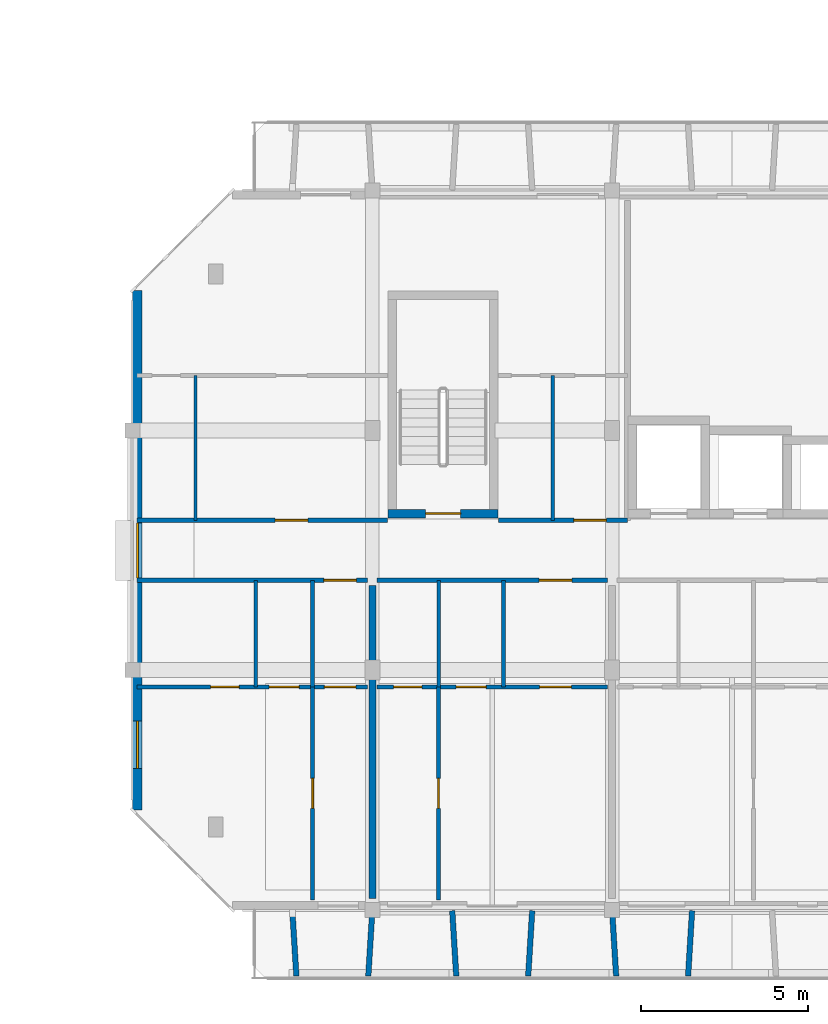
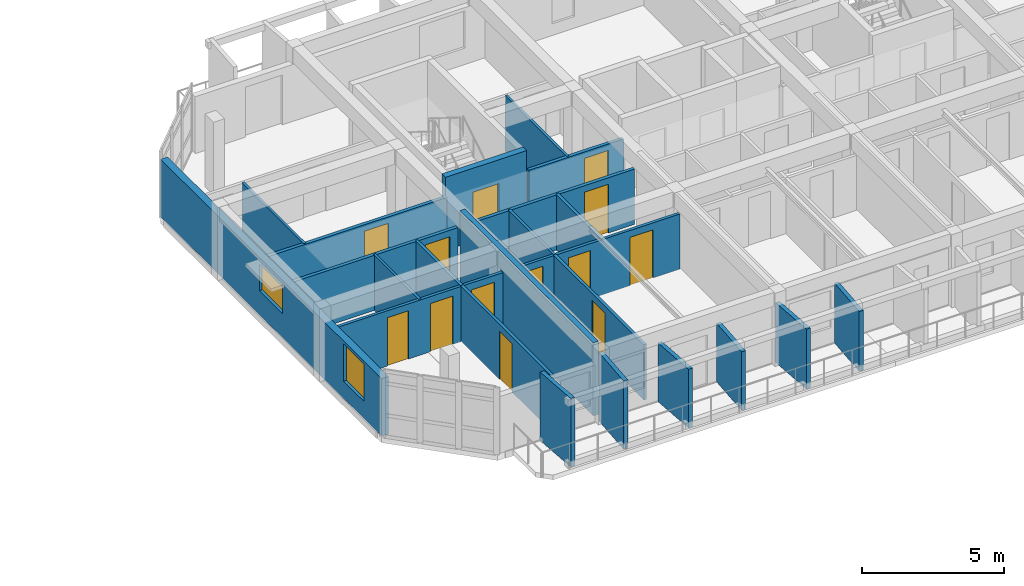
# One storey, part 15 of 30: 23 walls, 13 doors, 2 windows, 15 openings.
"""IFC4 building model written with IfcOpenShell, lengths in metres."""

import ifcopenshell
import ifcopenshell.guid

model = None  # the IFC model being written
_history = None  # IfcOwnerHistory: only IFC2X3 demands one
_inside = {}  # id of a spatial element -> (the spatial element, [elements in it])
_under = {}  # id of a project, library or spatial element -> (it, [spatial elements below it])
_declared = {}  # id of a project -> (the project, [libraries it declares])
_typed = {}  # id of a type object -> (the type object, [elements of that type])
_made_of = {}  # id of a material, layer set ... -> (it, [elements and type objects made of it])


def new_model(schema):
    """Start an empty IFC model of exactly this schema.

    Asked for "IFC4X3", IfcOpenShell would pick the latest addendum, in which some entities
    have other attributes; the version numbers below select the first issue.
    IFC2X3 requires an IfcOwnerHistory on every rooted entity: one is made here for all.
    """
    global model, _history
    if schema == "IFC4X3":
        model = ifcopenshell.file(schema_version=(4, 3, 0, 0))
    else:
        model = ifcopenshell.file(schema=schema)
    _inside.clear()
    _under.clear()
    _declared.clear()
    _typed.clear()
    _made_of.clear()
    _history = None
    if model.schema == "IFC2X3":
        org = make("IfcOrganization", Name="unknown")
        user = make(
            "IfcPersonAndOrganization",
            ThePerson=make("IfcPerson", FamilyName="unknown"),
            TheOrganization=org,
        )
        app = make(
            "IfcApplication",
            ApplicationDeveloper=org,
            Version="unknown",
            ApplicationFullName="unknown",
            ApplicationIdentifier="unknown",
        )
        _history = make(
            "IfcOwnerHistory",
            OwningUser=user,
            OwningApplication=app,
            ChangeAction="ADDED",
            CreationDate=0,
        )
    return model


def make(cls, **values):
    """One entity of the class cls with the attributes given. An attribute that is None is left unset."""
    return model.create_entity(
        cls, **{name: value for name, value in values.items() if value is not None}
    )


def rooted(cls, **values):
    """An entity with a GlobalId (a new one), such as an element, a storey or a relation."""
    return make(cls, GlobalId=ifcopenshell.guid.new(), OwnerHistory=_history, **values)


def si_unit(unit_type, name, prefix=None):
    """IfcSIUnit, for example si_unit("LENGTHUNIT", "METRE", prefix="MILLI")."""
    return make("IfcSIUnit", UnitType=unit_type, Prefix=prefix, Name=name)


def assignment(units):
    """IfcUnitAssignment: the units of a project."""
    return None if units is None else make("IfcUnitAssignment", Units=units)


def point(xyz):
    """IfcCartesianPoint."""
    return None if xyz is None else make("IfcCartesianPoint", Coordinates=xyz)


def direction(xyz):
    """IfcDirection."""
    return None if xyz is None else make("IfcDirection", DirectionRatios=xyz)


def frame(location, z_axis=None, x_axis=None):
    """IfcAxis2Placement3D, a coordinate frame: its origin and axes. An axis left out is left unset."""
    return make(
        "IfcAxis2Placement3D",
        Location=point(location),
        Axis=direction(z_axis),
        RefDirection=direction(x_axis),
    )


def frame_2d(location, x_axis=None):
    """IfcAxis2Placement2D, a coordinate frame in the plane: its origin and x axis."""
    return make(
        "IfcAxis2Placement2D", Location=point(location), RefDirection=direction(x_axis)
    )


def origin():
    """The frame at (0, 0, 0) with its axes left unset."""
    return frame((0.0, 0.0, 0.0))


def place(relative_to, where):
    """IfcLocalPlacement: puts the frame where relative to a parent placement (None: the world)."""
    return make(
        "IfcLocalPlacement", PlacementRelTo=relative_to, RelativePlacement=where
    )


def context(
    kind, dimensions, precision=None, world=None, true_north=None, identifier=None
):
    """IfcGeometricRepresentationContext, for example the 3D "Model" context."""
    return make(
        "IfcGeometricRepresentationContext",
        ContextIdentifier=identifier,
        ContextType=kind,
        CoordinateSpaceDimension=dimensions,
        Precision=precision,
        WorldCoordinateSystem=world,
        TrueNorth=true_north,
    )


def subcontext(parent, identifier, kind, view, scale=None):
    """IfcGeometricRepresentationSubContext, for example "Body" below "Model"."""
    return make(
        "IfcGeometricRepresentationSubContext",
        ContextIdentifier=identifier,
        ContextType=kind,
        ParentContext=parent,
        TargetScale=scale,
        TargetView=view,
    )


def project(units=None, contexts=None):
    """IfcProject with its units and contexts."""
    return rooted(
        "IfcProject",
        Name="project",
        RepresentationContexts=contexts,
        UnitsInContext=assignment(units),
    )


def spatial(cls, under=None, at=None, **own):
    """A site, building, storey or space (cls), placed at a placement, below another one or the project."""
    s = rooted(cls, ObjectPlacement=at, **own)
    if under is not None:
        _under.setdefault(under.id(), (under, []))[1].append(s)
    return s


def profile(cls, at=None, kind="AREA", **sizes):
    """A parametric profile (cls). Its sizes go by their IFC names, for example OverallWidth=200.0."""
    return make(cls, ProfileType=kind, Position=at, **sizes)


def rectangle(**sizes):
    """IfcRectangleProfileDef."""
    return profile("IfcRectangleProfileDef", **sizes)


def extrude(swept, where, along, depth):
    """IfcExtrudedAreaSolid: the profile swept, set in the frame where, extruded along a direction by depth."""
    return make(
        "IfcExtrudedAreaSolid",
        SweptArea=swept,
        Position=where,
        ExtrudedDirection=direction(along),
        Depth=depth,
    )


def shape(context_of_items, identifier, shape_type, items):
    """IfcShapeRepresentation: the items that make up one representation, for example the "Body"."""
    return make(
        "IfcShapeRepresentation",
        ContextOfItems=context_of_items,
        RepresentationIdentifier=identifier,
        RepresentationType=shape_type,
        Items=items,
    )


def material(Name=None, Category=None):
    """IfcMaterial."""
    return make("IfcMaterial", Name=Name, Category=Category)


def layer(
    of_material, thickness, ventilated=None, Name=None, Category=None, Priority=None
):
    """IfcMaterialLayer: one layer of a wall or slab, of a material (None: an air gap)."""
    return make(
        "IfcMaterialLayer",
        Material=of_material,
        LayerThickness=thickness,
        IsVentilated=ventilated,
        Name=Name,
        Category=Category,
        Priority=Priority,
    )


def layer_set(layers, Name=None):
    """IfcMaterialLayerSet."""
    return make("IfcMaterialLayerSet", MaterialLayers=layers, LayerSetName=Name)


def made_of(thing, what):
    """Note that an element or type object is made of a material, layer set ...; save() writes the relation."""
    if what is not None:
        _made_of.setdefault(what.id(), (what, []))[1].append(thing)
    return thing


def type_object(cls, material=None, **own):
    """A type object (cls), such as IfcWallType, which elements share."""
    return made_of(rooted(cls, **own), material)


def element(
    cls,
    number,
    at=None,
    inside=None,
    cuts=None,
    type_object=None,
    material=None,
    context=None,
    identifier="Body",
    shape_type=None,
    held_by="IfcProductDefinitionShape",
    body=None,
    shapes=None,
    **own,
):
    """One element of the class cls, such as IfcWall. Its Tag is "e" and its number.

    at: its placement. inside: the storey or other place that contains it. cuts: it is an
    opening in that element (IfcRelVoidsElement). A single representation is given by context,
    identifier, shape_type and body (its items); several are given by shapes. held_by: the class
    of the entity that holds the representations. save() writes the other relations.
    """
    e = rooted(cls, Tag="e%d" % number, ObjectPlacement=at, **own)
    if body is not None:
        shapes = [shape(context, identifier, shape_type, body)]
    if shapes is not None:
        e.Representation = make(held_by, Representations=shapes)
    if inside is not None:
        _inside.setdefault(inside.id(), (inside, []))[1].append(e)
    if cuts is not None:
        rooted(
            "IfcRelVoidsElement", RelatingBuildingElement=cuts, RelatedOpeningElement=e
        )
    if type_object is not None:
        _typed.setdefault(type_object.id(), (type_object, []))[1].append(e)
    return made_of(e, material)


def fill(opening, filler):
    """IfcRelFillsElement: the door or window that sits in an opening."""
    return rooted(
        "IfcRelFillsElement",
        RelatingOpeningElement=opening,
        RelatedBuildingElement=filler,
    )


def aggregate(whole, parts):
    """IfcRelAggregates: a whole, such as a stair, and the parts it consists of."""
    return rooted("IfcRelAggregates", RelatingObject=whole, RelatedObjects=parts)


def save(model, path):
    """Write the relations noted so far, then the file.

    IfcRelAggregates (storeys below a building ...), IfcRelContainedInSpatialStructure (elements
    in a storey), IfcRelDefinesByType, IfcRelAssociatesMaterial and IfcRelDeclares: one each for
    every whole, place, type object, material and project.
    """
    for whole, parts in _under.values():
        aggregate(whole, parts)
    for where, things in _inside.values():
        rooted(
            "IfcRelContainedInSpatialStructure",
            RelatedElements=things,
            RelatingStructure=where,
        )
    for kind, things in _typed.values():
        rooted("IfcRelDefinesByType", RelatedObjects=things, RelatingType=kind)
    for what, things in _made_of.values():
        rooted("IfcRelAssociatesMaterial", RelatedObjects=things, RelatingMaterial=what)
    for by, libraries in _declared.values():
        rooted("IfcRelDeclares", RelatingContext=by, RelatedDefinitions=libraries)
    model.write(path)


model = new_model("IFC4")

# Units and contexts
model_context = context("Model", 3, precision=1e-05, world=origin(), true_north=direction((0.0, 1.0)))
body_context = subcontext(model_context, "Body", "Model", "MODEL_VIEW")
ifc_project = project(units=[si_unit("LENGTHUNIT", "METRE"), si_unit("AREAUNIT", "SQUARE_METRE"), si_unit("VOLUMEUNIT", "CUBIC_METRE"), si_unit("PLANEANGLEUNIT", "RADIAN"), si_unit("MASSUNIT", "GRAM", prefix="KILO")], contexts=[model_context])

# Site, building, storey
site_placement = place(None, origin())
site = spatial("IfcSite", under=ifc_project, at=site_placement, CompositionType="ELEMENT")
building_placement = place(site_placement, origin())
building = spatial("IfcBuilding", under=site, at=building_placement, Name="Ochrevale Crest", CompositionType="ELEMENT")
storey_placement = place(building_placement, frame((0.0, 0.0, 33.89990234375)))
storey = spatial("IfcBuildingStorey", under=building, at=storey_placement, Name="L10", CompositionType="ELEMENT", Elevation=33.89990234375)

# Wall, opening, door
ifc_material_1 = material(Name="Gypsum plasterboard", Category="gypsum")
ifc_layer_1 = layer(ifc_material_1, 0.139892578125)
ifc_layer_set_1 = layer_set([ifc_layer_1], Name="Gypsum plasterboard")
wall_type_1 = type_object("IfcWallType", Name="WL-COR-140", PredefinedType="PARTITIONING", material=ifc_layer_set_1)
wall_1_placement = place(storey_placement, frame((129.739990234375, 24.300048828125, 0.0), z_axis=(0.0, 0.0, 1.0), x_axis=(1.0, 0.0, 0.0)))
wall_1 = element("IfcWall", 1, at=wall_1_placement, inside=storey, type_object=wall_type_1, Name="Apartment C-L10-U1 corridor wall", PredefinedType="PARTITIONING", context=body_context, shape_type="SweptSolid", body=[
    extrude(rectangle(XDim=6.919921875, YDim=0.139892578125, at=frame_2d((3.4599609375, 0.0))), origin(), (0.0, 0.0, 1.0), 2.380126953125),
])
opening_1_placement = place(wall_1_placement, frame((5.60498046875, 0.0, 0.0)))
opening_1 = element("IfcOpeningElement", 2, at=opening_1_placement, cuts=wall_1, Name="Opening FD01", PredefinedType="OPENING", context=body_context, shape_type="SweptSolid", body=[
    extrude(rectangle(XDim=0.97998046875, YDim=2.10009765625, at=frame_2d((0.489990234375, 1.050048828125))), frame((0.0, 0.080078125, 0.0), z_axis=(0.0, -1.0, 0.0), x_axis=(1.0, 0.0, 0.0)), (0.0, 0.0, 1.0), 0.159912109375),
])
ifc_material_2 = material(Name="Solid-core FSC hardwood", Category="wood")
door_type_1 = type_object("IfcDoorType", Name="DR-APT-950", OperationType="NOTDEFINED", PredefinedType="DOOR", material=ifc_material_2)
door_1_placement = place(opening_1_placement, origin())
door_1 = element("IfcDoor", 3, at=door_1_placement, inside=storey, type_object=door_type_1, Name="Apartment C-L10-U1 entrance door", OperationType="SINGLE_SWING_LEFT", OverallHeight=2.10009765625, OverallWidth=0.97998046875, PredefinedType="DOOR", context=body_context, shape_type="SweptSolid", body=[
    extrude(rectangle(XDim=0.97998046875, YDim=2.10009765625, at=frame_2d((0.489990234375, 1.050048828125))), frame((0.0, 0.02490234375, 0.0), z_axis=(0.0, -1.0, 0.0), x_axis=(1.0, 0.0, 0.0)), (0.0, 0.0, 1.0), 0.050048828125),
])
fill(opening_1, door_1)

wall_2_placement = place(storey_placement, frame((136.93994140625, 24.300048828125, 0.0), z_axis=(0.0, 0.0, 1.0), x_axis=(1.0, 0.0, 0.0)))
wall_2 = element("IfcWall", 4, at=wall_2_placement, inside=storey, type_object=wall_type_1, Name="Apartment C-L10-U2 corridor wall", PredefinedType="PARTITIONING", context=body_context, shape_type="SweptSolid", body=[
    extrude(rectangle(XDim=6.920166015625, YDim=0.139892578125, at=frame_2d((3.4599609375, 0.0))), origin(), (0.0, 0.0, 1.0), 2.380126953125),
])
opening_2_placement = place(wall_2_placement, frame((5.85009765625, 0.0, 0.0), z_axis=(0.0, 0.0, 1.0), x_axis=(-1.0, 0.0, 0.0)))
opening_2 = element("IfcOpeningElement", 5, at=opening_2_placement, cuts=wall_2, Name="Opening FD01", PredefinedType="OPENING", context=body_context, shape_type="SweptSolid", body=[
    extrude(rectangle(XDim=0.97998046875, YDim=2.10009765625, at=frame_2d((0.489990234375, 1.050048828125))), frame((0.0, 0.080078125, 0.0), z_axis=(0.0, -1.0, 0.0), x_axis=(1.0, 0.0, 0.0)), (0.0, 0.0, 1.0), 0.159912109375),
])
door_2_placement = place(opening_2_placement, origin())
door_2 = element("IfcDoor", 6, at=door_2_placement, inside=storey, type_object=door_type_1, Name="Apartment C-L10-U2 entrance door", OperationType="SINGLE_SWING_RIGHT", OverallHeight=2.10009765625, OverallWidth=0.97998046875, PredefinedType="DOOR", context=body_context, shape_type="SweptSolid", body=[
    extrude(rectangle(XDim=0.97998046875, YDim=2.10009765625, at=frame_2d((0.489990234375, 1.050048828125))), frame((0.0, 0.02490234375, 0.0), z_axis=(0.0, -1.0, 0.0), x_axis=(1.0, 0.0, 0.0)), (0.0, 0.0, 1.0), 0.050048828125),
])
fill(opening_2, door_2)

wall_3_placement = place(storey_placement, frame((129.739990234375, 26.10009765625, 0.0), z_axis=(0.0, 0.0, 1.0), x_axis=(1.0, 0.0, 0.0)))
wall_3 = element("IfcWall", 7, at=wall_3_placement, inside=storey, type_object=wall_type_1, Name="Suite C-L10-CW corridor wall", PredefinedType="PARTITIONING", context=body_context, shape_type="SweptSolid", body=[
    extrude(rectangle(XDim=7.52001953125, YDim=0.139892578125, at=frame_2d((3.760009765625, 0.0))), origin(), (0.0, 0.0, 1.0), 2.380126953125),
])
opening_3_placement = place(wall_3_placement, frame((5.125, 0.0, 0.0), z_axis=(0.0, 0.0, 1.0), x_axis=(-1.0, 0.0, 0.0)))
opening_3 = element("IfcOpeningElement", 8, at=opening_3_placement, cuts=wall_3, Name="Opening FD01", PredefinedType="OPENING", context=body_context, shape_type="SweptSolid", body=[
    extrude(rectangle(XDim=0.97998046875, YDim=2.10009765625, at=frame_2d((0.489990234375, 1.050048828125))), frame((0.0, 0.080078125, 0.0), z_axis=(0.0, -1.0, 0.0), x_axis=(1.0, 0.0, 0.0)), (0.0, 0.0, 1.0), 0.159912109375),
])
door_3_placement = place(opening_3_placement, origin())
door_3 = element("IfcDoor", 9, at=door_3_placement, inside=storey, type_object=door_type_1, Name="Suite C-L10-CW entrance door", OperationType="SINGLE_SWING_RIGHT", OverallHeight=2.10009765625, OverallWidth=0.97998046875, PredefinedType="DOOR", context=body_context, shape_type="SweptSolid", body=[
    extrude(rectangle(XDim=0.97998046875, YDim=2.10009765625, at=frame_2d((0.489990234375, 1.050048828125))), frame((0.0, 0.02490234375, 0.0), z_axis=(0.0, -1.0, 0.0), x_axis=(1.0, 0.0, 0.0)), (0.0, 0.0, 1.0), 0.050048828125),
])
fill(opening_3, door_3)

wall_4_placement = place(storey_placement, frame((140.590087890625, 26.10009765625, 0.0), z_axis=(0.0, 0.0, 1.0), x_axis=(1.0, 0.0, 0.0)))
wall_4 = element("IfcWall", 10, at=wall_4_placement, inside=storey, type_object=wall_type_1, Name="Suite C-L10-MW corridor wall", PredefinedType="PARTITIONING", context=body_context, shape_type="SweptSolid", body=[
    extrude(rectangle(XDim=3.869873046875, YDim=0.139892578125, at=frame_2d((1.93505859375, 0.0))), origin(), (0.0, 0.0, 1.0), 2.380126953125),
])
opening_4_placement = place(wall_4_placement, frame((2.2578125, 0.0, 0.0)))
opening_4 = element("IfcOpeningElement", 11, at=opening_4_placement, cuts=wall_4, Name="Opening FD01", PredefinedType="OPENING", context=body_context, shape_type="SweptSolid", body=[
    extrude(rectangle(XDim=0.97998046875, YDim=2.10009765625, at=frame_2d((0.489990234375, 1.050048828125))), frame((0.0, 0.080078125, 0.0), z_axis=(0.0, -1.0, 0.0), x_axis=(1.0, 0.0, 0.0)), (0.0, 0.0, 1.0), 0.159912109375),
])
door_4_placement = place(opening_4_placement, origin())
door_4 = element("IfcDoor", 12, at=door_4_placement, inside=storey, type_object=door_type_1, Name="Suite C-L10-MW entrance door", OperationType="SINGLE_SWING_LEFT", OverallHeight=2.10009765625, OverallWidth=0.97998046875, PredefinedType="DOOR", context=body_context, shape_type="SweptSolid", body=[
    extrude(rectangle(XDim=0.97998046875, YDim=2.10009765625, at=frame_2d((0.489990234375, 1.050048828125))), frame((0.0, 0.02490234375, 0.0), z_axis=(0.0, -1.0, 0.0), x_axis=(1.0, 0.0, 0.0)), (0.0, 0.0, 1.0), 0.050048828125),
])
fill(opening_4, door_4)

ifc_material_3 = material(Name="Precast concrete C50/60", Category="concrete")
ifc_layer_2 = layer(ifc_material_3, 0.2548828125)
ifc_layer_set_2 = layer_set([ifc_layer_2], Name="Precast concrete C50/60")
wall_type_2 = type_object("IfcWallType", Name="WL-CORE-255", PredefinedType="SHEAR", material=ifc_layer_set_2)
wall_5_placement = place(storey_placement, frame((137.2724609375, 26.300048828125, 0.0), z_axis=(0.0, 0.0, 1.0), x_axis=(1.0, 0.0, 0.0)))
wall_5 = element("IfcWall", 13, at=wall_5_placement, inside=storey, type_object=wall_type_2, Name="Block C L10 Stair 1 precast core shear wall S", PredefinedType="SHEAR", context=body_context, shape_type="SweptSolid", body=[
    extrude(rectangle(XDim=3.304931640625, YDim=0.2548828125, at=frame_2d((1.65234375, 0.0))), origin(), (0.0, 0.0, 1.0), 3.150146484375),
])
opening_5_placement = place(wall_5_placement, frame((2.177490234375, 0.0, 0.0), z_axis=(0.0, 0.0, 1.0), x_axis=(-1.0, 0.0, 0.0)))
opening_5 = element("IfcOpeningElement", 14, at=opening_5_placement, cuts=wall_5, Name="Opening FD03", PredefinedType="OPENING", context=body_context, shape_type="SweptSolid", body=[
    extrude(rectangle(XDim=1.050048828125, YDim=2.1201171875, at=frame_2d((0.52490234375, 1.06005859375))), frame((0.0, 0.137451171875, 0.0), z_axis=(0.0, -1.0, 0.0), x_axis=(1.0, 0.0, 0.0)), (0.0, 0.0, 1.0), 0.27490234375),
])
door_type_2 = type_object("IfcDoorType", Name="DR-ST-1050", OperationType="NOTDEFINED", PredefinedType="DOOR", material=ifc_material_2)
door_5_placement = place(opening_5_placement, origin())
door_5 = element("IfcDoor", 15, at=door_5_placement, inside=storey, type_object=door_type_2, Name="Block C L10 fire stair 1 door", OperationType="SINGLE_SWING_RIGHT", OverallHeight=2.1201171875, OverallWidth=1.050048828125, PredefinedType="DOOR", context=body_context, shape_type="SweptSolid", body=[
    extrude(rectangle(XDim=1.050048828125, YDim=2.1201171875, at=frame_2d((0.52490234375, 1.06005859375))), frame((0.0, 0.02490234375, 0.0), z_axis=(0.0, -1.0, 0.0), x_axis=(1.0, 0.0, 0.0)), (0.0, 0.0, 1.0), 0.050048828125),
])
fill(opening_5, door_5)

# Wall, openings, windows
ifc_material_4 = material(Name="Clay face brickwork", Category="masonry")
ifc_layer_3 = layer(ifc_material_4, 0.2900390625)
ifc_layer_set_3 = layer_set([ifc_layer_3], Name="Clay face brickwork")
wall_type_3 = type_object("IfcWallType", Name="WL-EXT-BRICK-290", PredefinedType="SOLIDWALL", material=ifc_layer_set_3)
wall_6_placement = place(storey_placement, frame((129.7451171875, 33.0, 0.0), z_axis=(0.0, 0.0, 1.0), x_axis=(0.0, -1.0, 0.0)))
wall_6 = element("IfcWall", 16, at=wall_6_placement, inside=storey, type_object=wall_type_3, Name="Block C L10 external facade wall E7", PredefinedType="SOLIDWALL", context=body_context, shape_type="SweptSolid", body=[
    extrude(rectangle(XDim=15.60009765625, YDim=0.2900390625, at=frame_2d((7.800048828125, 0.0))), origin(), (0.0, 0.0, 1.0), 2.47998046875),
])
opening_6_placement = place(wall_6_placement, frame((6.97509765625, 0.0, 1.050048828125)))
opening_6 = element("IfcOpeningElement", 17, at=opening_6_placement, cuts=wall_6, Name="Opening W19", PredefinedType="OPENING", context=body_context, shape_type="SweptSolid", body=[
    extrude(rectangle(XDim=1.64990234375, YDim=1.14990234375, at=frame_2d((0.824951171875, 0.574951171875))), frame((0.0, 0.155029296875, 0.0), z_axis=(0.0, -1.0, 0.0), x_axis=(1.0, 0.0, 0.0)), (0.0, 0.0, 1.0), 0.31005859375),
])
opening_7_placement = place(wall_6_placement, frame((12.925048828125, 0.0, 0.75)))
opening_7 = element("IfcOpeningElement", 18, at=opening_7_placement, cuts=wall_6, Name="Opening W31", PredefinedType="OPENING", context=body_context, shape_type="SweptSolid", body=[
    extrude(rectangle(XDim=1.419921875, YDim=1.60009765625, at=frame_2d((0.7099609375, 0.800048828125))), frame((0.0, 0.155029296875, 0.0), z_axis=(0.0, -1.0, 0.0), x_axis=(1.0, 0.0, 0.0)), (0.0, 0.0, 1.0), 0.31005859375),
])
ifc_material_5 = material(Name="Anodised aluminium 6063-T5 and low-E double glazing", Category="aluminium")
window_type_1 = type_object("IfcWindowType", Name="WIN-W19", PartitioningType="SINGLE_PANEL", PredefinedType="WINDOW", material=ifc_material_5)
window_1_placement = place(opening_6_placement, origin())
window_1 = element("IfcWindow", 19, at=window_1_placement, inside=storey, type_object=window_type_1, Name="Block C L10 corridor end daylight window W", OverallHeight=1.14990234375, OverallWidth=1.64990234375, PartitioningType="SINGLE_PANEL", PredefinedType="WINDOW", context=body_context, shape_type="SweptSolid", body=[
    extrude(rectangle(XDim=1.64990234375, YDim=1.14990234375, at=frame_2d((0.824951171875, 0.574951171875))), frame((0.0, 0.030029296875, 0.0), z_axis=(0.0, -1.0, 0.0), x_axis=(1.0, 0.0, 0.0)), (0.0, 0.0, 1.0), 0.06005859375),
])
fill(opening_6, window_1)
window_type_2 = type_object("IfcWindowType", Name="WIN-W31", PartitioningType="SINGLE_PANEL", PredefinedType="WINDOW", material=ifc_material_5)
window_2_placement = place(opening_7_placement, origin())
window_2 = element("IfcWindow", 20, at=window_2_placement, inside=storey, type_object=window_type_2, Name="Block C L10 side suite window W", OverallHeight=1.60009765625, OverallWidth=1.419921875, PartitioningType="SINGLE_PANEL", PredefinedType="WINDOW", context=body_context, shape_type="SweptSolid", body=[
    extrude(rectangle(XDim=1.419921875, YDim=1.60009765625, at=frame_2d((0.7099609375, 0.800048828125))), frame((0.0, 0.030029296875, 0.0), z_axis=(0.0, -1.0, 0.0), x_axis=(1.0, 0.0, 0.0)), (0.0, 0.0, 1.0), 0.06005859375),
])
fill(opening_7, window_2)

# Walls
ifc_material_6 = material(Name="Precast concrete C40/50", Category="concrete")
ifc_layer_4 = layer(ifc_material_6, 0.1650390625)
ifc_layer_set_4 = layer_set([ifc_layer_4], Name="Precast concrete C40/50")
wall_type_4 = type_object("IfcWallType", Name="WL-HC-CHEEK-165", PredefinedType="ELEMENTEDWALL", material=ifc_layer_set_4)
for number, where, z_axis, x_axis, name in (
    (21, (134.39990234375, 14.3798828125, 0.0), (0.0, 0.0, 1.0), (0.061170732449, -0.998127317276, 0.0), "Block C L10 S precast honeycomb cheek 1"),
    (22, (136.800048828125, 14.3798828125, 0.0), (0.0, 0.0, 1.0), (-0.061170732449, -0.998127317276, 0.0), "Block C L10 S precast honeycomb cheek 2"),
):
    element("IfcWall", number, at=place(storey_placement, frame(where, z_axis=z_axis, x_axis=x_axis)), inside=storey, type_object=wall_type_4, Name=name, PredefinedType="ELEMENTEDWALL", context=body_context, shape_type="SweptSolid", body=[
        extrude(rectangle(XDim=1.963623046875, YDim=0.1650390625, at=frame_2d((0.98193359375, 0.0))), origin(), (0.0, 0.0, 1.0), 2.9501953125),
    ])
for number, where, z_axis, x_axis, name in (
    (23, (139.199951171875, 14.3798828125, 0.0), (0.0, 0.0, 1.0), (0.061170732449, -0.998127317276, 0.0), "Block C L10 S precast honeycomb cheek 3"),
    (24, (141.60009765625, 14.3798828125, 0.0), (0.0, 0.0, 1.0), (-0.061170732449, -0.998127317276, 0.0), "Block C L10 S precast honeycomb cheek 4"),
):
    element("IfcWall", number, at=place(storey_placement, frame(where, z_axis=z_axis, x_axis=x_axis)), inside=storey, type_object=wall_type_4, Name=name, PredefinedType="ELEMENTEDWALL", context=body_context, shape_type="SweptSolid", body=[
        extrude(rectangle(XDim=1.963623046875, YDim=0.1650390625, at=frame_2d((0.98193359375, 0.0))), origin(), (0.0, 0.0, 1.0), 2.530029296875),
    ])
for number, where, z_axis, x_axis, name in (
    (25, (144.0, 14.3798828125, 0.0), (0.0, 0.0, 1.0), (0.061170732449, -0.998127317276, 0.0), "Block C L10 S precast honeycomb cheek 5"),
    (26, (146.39990234375, 14.3798828125, 0.0), (0.0, 0.0, 1.0), (-0.061046865508, -0.998134900808, 0.0), "Block C L10 S precast honeycomb cheek 6"),
):
    element("IfcWall", number, at=place(storey_placement, frame(where, z_axis=z_axis, x_axis=x_axis)), inside=storey, type_object=wall_type_4, Name=name, PredefinedType="ELEMENTEDWALL", context=body_context, shape_type="SweptSolid", body=[
        extrude(rectangle(XDim=1.963623046875, YDim=0.1650390625, at=frame_2d((0.98193359375, 0.0))), origin(), (0.0, 0.0, 1.0), 2.580078125),
    ])
ifc_layer_5 = layer(ifc_material_1, 0.1201171875)
ifc_layer_set_5 = layer_set([ifc_layer_5], Name="Gypsum plasterboard")
wall_type_5 = type_object("IfcWallType", Name="WL-PART-120", PredefinedType="PARTITIONING", material=ifc_layer_set_5)
wall_7_placement = place(storey_placement, frame((135.010009765625, 21.10009765625, 0.0), z_axis=(0.0, 0.0, 1.0), x_axis=(0.0, 1.0, 0.0)))
element("IfcWall", 27, at=wall_7_placement, inside=storey, type_object=wall_type_5, Name="Apartment C-L10-U1 kitchen-foyer wall", PredefinedType="PARTITIONING", context=body_context, shape_type="SweptSolid", body=[
    extrude(rectangle(XDim=3.199951171875, YDim=0.1201171875, at=frame_2d((1.60009765625, 0.0))), origin(), (0.0, 0.0, 1.0), 2.380126953125),
])

# Wall, openings, doors
wall_8_placement = place(storey_placement, frame((129.739990234375, 21.10009765625, 0.0), z_axis=(0.0, 0.0, 1.0), x_axis=(1.0, 0.0, 0.0)))
wall_8 = element("IfcWall", 28, at=wall_8_placement, inside=storey, type_object=wall_type_5, Name="Apartment C-L10-U1 central partition", PredefinedType="PARTITIONING", context=body_context, shape_type="SweptSolid", body=[
    extrude(rectangle(XDim=6.919921875, YDim=0.1201171875, at=frame_2d((3.4599609375, 0.0))), origin(), (0.0, 0.0, 1.0), 2.380126953125),
])
opening_8_placement = place(wall_8_placement, frame((3.06005859375, 0.0, 0.0), z_axis=(0.0, 0.0, 1.0), x_axis=(-1.0, 0.0, 0.0)))
opening_8 = element("IfcOpeningElement", 29, at=opening_8_placement, cuts=wall_8, Name="Opening ID01", PredefinedType="OPENING", context=body_context, shape_type="SweptSolid", body=[
    extrude(rectangle(XDim=0.85009765625, YDim=2.080078125, at=frame_2d((0.425048828125, 1.0400390625))), frame((0.0, 0.070068359375, 0.0), z_axis=(0.0, -1.0, 0.0), x_axis=(1.0, 0.0, 0.0)), (0.0, 0.0, 1.0), 0.14013671875),
])
opening_9_placement = place(wall_8_placement, frame((3.965087890625, 0.0, 0.0)))
opening_9 = element("IfcOpeningElement", 30, at=opening_9_placement, cuts=wall_8, Name="Opening ID02", PredefinedType="OPENING", context=body_context, shape_type="SweptSolid", body=[
    extrude(rectangle(XDim=0.89990234375, YDim=2.080078125, at=frame_2d((0.449951171875, 1.0400390625))), frame((0.0, 0.070068359375, 0.0), z_axis=(0.0, -1.0, 0.0), x_axis=(1.0, 0.0, 0.0)), (0.0, 0.0, 1.0), 0.14013671875),
])
opening_10_placement = place(wall_8_placement, frame((6.570068359375, 0.0, 0.0), z_axis=(0.0, 0.0, 1.0), x_axis=(-1.0, 0.0, 0.0)))
opening_10 = element("IfcOpeningElement", 31, at=opening_10_placement, cuts=wall_8, Name="Opening ID06", PredefinedType="OPENING", context=body_context, shape_type="SweptSolid", body=[
    extrude(rectangle(XDim=0.949951171875, YDim=2.080078125, at=frame_2d((0.47509765625, 1.0400390625))), frame((0.0, 0.070068359375, 0.0), z_axis=(0.0, -1.0, 0.0), x_axis=(1.0, 0.0, 0.0)), (0.0, 0.0, 1.0), 0.14013671875),
])
door_type_3 = type_object("IfcDoorType", Name="DR-INT-900", OperationType="NOTDEFINED", PredefinedType="DOOR", material=ifc_material_2)
door_6_placement = place(opening_9_placement, origin())
door_6 = element("IfcDoor", 32, at=door_6_placement, inside=storey, type_object=door_type_3, Name="Apartment C-L10-U1 Kitchen door", OperationType="SINGLE_SWING_LEFT", OverallHeight=2.080078125, OverallWidth=0.89990234375, PredefinedType="DOOR", context=body_context, shape_type="SweptSolid", body=[
    extrude(rectangle(XDim=0.89990234375, YDim=2.080078125, at=frame_2d((0.449951171875, 1.0400390625))), frame((0.0, 0.02490234375, 0.0), z_axis=(0.0, -1.0, 0.0), x_axis=(1.0, 0.0, 0.0)), (0.0, 0.0, 1.0), 0.050048828125),
])
fill(opening_9, door_6)
door_type_4 = type_object("IfcDoorType", Name="DR-INT-950", OperationType="NOTDEFINED", PredefinedType="DOOR", material=ifc_material_2)
door_7_placement = place(opening_10_placement, origin())
door_7 = element("IfcDoor", 33, at=door_7_placement, inside=storey, type_object=door_type_4, Name="Apartment C-L10-U1 Living Foyer door", OperationType="SINGLE_SWING_RIGHT", OverallHeight=2.080078125, OverallWidth=0.949951171875, PredefinedType="DOOR", context=body_context, shape_type="SweptSolid", body=[
    extrude(rectangle(XDim=0.949951171875, YDim=2.080078125, at=frame_2d((0.47509765625, 1.0400390625))), frame((0.0, 0.02490234375, 0.0), z_axis=(0.0, -1.0, 0.0), x_axis=(1.0, 0.0, 0.0)), (0.0, 0.0, 1.0), 0.050048828125),
])
fill(opening_10, door_7)
door_type_5 = type_object("IfcDoorType", Name="DR-WC-850", OperationType="NOTDEFINED", PredefinedType="DOOR", material=ifc_material_2)
door_8_placement = place(opening_8_placement, origin())
door_8 = element("IfcDoor", 34, at=door_8_placement, inside=storey, type_object=door_type_5, Name="Apartment C-L10-U1 Bathroom door", OperationType="SINGLE_SWING_RIGHT", OverallHeight=2.080078125, OverallWidth=0.85009765625, PredefinedType="DOOR", context=body_context, shape_type="SweptSolid", body=[
    extrude(rectangle(XDim=0.85009765625, YDim=2.080078125, at=frame_2d((0.425048828125, 1.0400390625))), frame((0.0, 0.02490234375, 0.0), z_axis=(0.0, -1.0, 0.0), x_axis=(1.0, 0.0, 0.0)), (0.0, 0.0, 1.0), 0.050048828125),
])
fill(opening_8, door_8)

# Wall, opening, door
wall_9_placement = place(storey_placement, frame((135.010009765625, 14.699951171875, 0.0), z_axis=(0.0, 0.0, 1.0), x_axis=(0.0, 1.0, 0.0)))
wall_9 = element("IfcWall", 35, at=wall_9_placement, inside=storey, type_object=wall_type_5, Name="Apartment C-L10-U1 bedroom partition", PredefinedType="PARTITIONING", context=body_context, shape_type="SweptSolid", body=[
    extrude(rectangle(XDim=6.400146484375, YDim=0.1201171875, at=frame_2d((3.2001953125, 0.0))), origin(), (0.0, 0.0, 1.0), 2.380126953125),
])
opening_11_placement = place(wall_9_placement, frame((2.75, 0.0, 0.0)))
opening_11 = element("IfcOpeningElement", 36, at=opening_11_placement, cuts=wall_9, Name="Opening ID02", PredefinedType="OPENING", context=body_context, shape_type="SweptSolid", body=[
    extrude(rectangle(XDim=0.89990234375, YDim=2.080078125, at=frame_2d((0.449951171875, 1.0400390625))), frame((0.0, 0.070068359375, 0.0), z_axis=(0.0, -1.0, 0.0), x_axis=(1.0, 0.0, 0.0)), (0.0, 0.0, 1.0), 0.14013671875),
])
door_9_placement = place(opening_11_placement, origin())
door_9 = element("IfcDoor", 37, at=door_9_placement, inside=storey, type_object=door_type_3, Name="Apartment C-L10-U1 Twin Bedroom door", OperationType="SINGLE_SWING_LEFT", OverallHeight=2.080078125, OverallWidth=0.89990234375, PredefinedType="DOOR", context=body_context, shape_type="SweptSolid", body=[
    extrude(rectangle(XDim=0.89990234375, YDim=2.080078125, at=frame_2d((0.449951171875, 1.0400390625))), frame((0.0, 0.02490234375, 0.0), z_axis=(0.0, -1.0, 0.0), x_axis=(1.0, 0.0, 0.0)), (0.0, 0.0, 1.0), 0.050048828125),
])
fill(opening_11, door_9)

# Wall
wall_10_placement = place(storey_placement, frame((140.739990234375, 21.10009765625, 0.0), z_axis=(0.0, 0.0, 1.0), x_axis=(0.0, 1.0, 0.0)))
element("IfcWall", 38, at=wall_10_placement, inside=storey, type_object=wall_type_5, Name="Apartment C-L10-U2 kitchen-foyer wall", PredefinedType="PARTITIONING", context=body_context, shape_type="SweptSolid", body=[
    extrude(rectangle(XDim=3.199951171875, YDim=0.1201171875, at=frame_2d((1.60009765625, 0.0))), origin(), (0.0, 0.0, 1.0), 2.380126953125),
])

# Wall, openings, doors
wall_11_placement = place(storey_placement, frame((136.93994140625, 21.10009765625, 0.0), z_axis=(0.0, 0.0, 1.0), x_axis=(1.0, 0.0, 0.0)))
wall_11 = element("IfcWall", 39, at=wall_11_placement, inside=storey, type_object=wall_type_5, Name="Apartment C-L10-U2 central partition", PredefinedType="PARTITIONING", context=body_context, shape_type="SweptSolid", body=[
    extrude(rectangle(XDim=6.920166015625, YDim=0.1201171875, at=frame_2d((3.4599609375, 0.0))), origin(), (0.0, 0.0, 1.0), 2.380126953125),
])
opening_12_placement = place(wall_11_placement, frame((0.5, 0.0, 0.0)))
opening_12 = element("IfcOpeningElement", 40, at=opening_12_placement, cuts=wall_11, Name="Opening ID01", PredefinedType="OPENING", context=body_context, shape_type="SweptSolid", body=[
    extrude(rectangle(XDim=0.85009765625, YDim=2.080078125, at=frame_2d((0.425048828125, 1.0400390625))), frame((0.0, 0.070068359375, 0.0), z_axis=(0.0, -1.0, 0.0), x_axis=(1.0, 0.0, 0.0)), (0.0, 0.0, 1.0), 0.14013671875),
])
opening_13_placement = place(wall_11_placement, frame((3.27490234375, 0.0, 0.0), z_axis=(0.0, 0.0, 1.0), x_axis=(-1.0, 0.0, 0.0)))
opening_13 = element("IfcOpeningElement", 41, at=opening_13_placement, cuts=wall_11, Name="Opening ID02", PredefinedType="OPENING", context=body_context, shape_type="SweptSolid", body=[
    extrude(rectangle(XDim=0.89990234375, YDim=2.080078125, at=frame_2d((0.449951171875, 1.0400390625))), frame((0.0, 0.070068359375, 0.0), z_axis=(0.0, -1.0, 0.0), x_axis=(1.0, 0.0, 0.0)), (0.0, 0.0, 1.0), 0.14013671875),
])
opening_14_placement = place(wall_11_placement, frame((4.885009765625, 0.0, 0.0)))
opening_14 = element("IfcOpeningElement", 42, at=opening_14_placement, cuts=wall_11, Name="Opening ID06", PredefinedType="OPENING", context=body_context, shape_type="SweptSolid", body=[
    extrude(rectangle(XDim=0.949951171875, YDim=2.080078125, at=frame_2d((0.47509765625, 1.0400390625))), frame((0.0, 0.070068359375, 0.0), z_axis=(0.0, -1.0, 0.0), x_axis=(1.0, 0.0, 0.0)), (0.0, 0.0, 1.0), 0.14013671875),
])
door_10_placement = place(opening_13_placement, origin())
door_10 = element("IfcDoor", 43, at=door_10_placement, inside=storey, type_object=door_type_3, Name="Apartment C-L10-U2 Kitchen door", OperationType="SINGLE_SWING_RIGHT", OverallHeight=2.080078125, OverallWidth=0.89990234375, PredefinedType="DOOR", context=body_context, shape_type="SweptSolid", body=[
    extrude(rectangle(XDim=0.89990234375, YDim=2.080078125, at=frame_2d((0.449951171875, 1.0400390625))), frame((0.0, 0.02490234375, 0.0), z_axis=(0.0, -1.0, 0.0), x_axis=(1.0, 0.0, 0.0)), (0.0, 0.0, 1.0), 0.050048828125),
])
fill(opening_13, door_10)
door_11_placement = place(opening_14_placement, origin())
door_11 = element("IfcDoor", 44, at=door_11_placement, inside=storey, type_object=door_type_4, Name="Apartment C-L10-U2 Living Foyer door", OperationType="SINGLE_SWING_LEFT", OverallHeight=2.080078125, OverallWidth=0.949951171875, PredefinedType="DOOR", context=body_context, shape_type="SweptSolid", body=[
    extrude(rectangle(XDim=0.949951171875, YDim=2.080078125, at=frame_2d((0.47509765625, 1.0400390625))), frame((0.0, 0.02490234375, 0.0), z_axis=(0.0, -1.0, 0.0), x_axis=(1.0, 0.0, 0.0)), (0.0, 0.0, 1.0), 0.050048828125),
])
fill(opening_14, door_11)
door_12_placement = place(opening_12_placement, origin())
door_12 = element("IfcDoor", 45, at=door_12_placement, inside=storey, type_object=door_type_5, Name="Apartment C-L10-U2 Bathroom door", OperationType="SINGLE_SWING_LEFT", OverallHeight=2.080078125, OverallWidth=0.85009765625, PredefinedType="DOOR", context=body_context, shape_type="SweptSolid", body=[
    extrude(rectangle(XDim=0.85009765625, YDim=2.080078125, at=frame_2d((0.425048828125, 1.0400390625))), frame((0.0, 0.02490234375, 0.0), z_axis=(0.0, -1.0, 0.0), x_axis=(1.0, 0.0, 0.0)), (0.0, 0.0, 1.0), 0.050048828125),
])
fill(opening_12, door_12)

# Wall, opening, door
wall_12_placement = place(storey_placement, frame((138.7900390625, 14.699951171875, 0.0), z_axis=(0.0, 0.0, 1.0), x_axis=(0.0, 1.0, 0.0)))
wall_12 = element("IfcWall", 46, at=wall_12_placement, inside=storey, type_object=wall_type_5, Name="Apartment C-L10-U2 bedroom partition", PredefinedType="PARTITIONING", context=body_context, shape_type="SweptSolid", body=[
    extrude(rectangle(XDim=6.400146484375, YDim=0.1201171875, at=frame_2d((3.2001953125, 0.0))), origin(), (0.0, 0.0, 1.0), 2.380126953125),
])
opening_15_placement = place(wall_12_placement, frame((3.64990234375, 0.0, 0.0), z_axis=(0.0, 0.0, 1.0), x_axis=(-1.0, 0.0, 0.0)))
opening_15 = element("IfcOpeningElement", 47, at=opening_15_placement, cuts=wall_12, Name="Opening ID02", PredefinedType="OPENING", context=body_context, shape_type="SweptSolid", body=[
    extrude(rectangle(XDim=0.89990234375, YDim=2.080078125, at=frame_2d((0.449951171875, 1.0400390625))), frame((0.0, 0.070068359375, 0.0), z_axis=(0.0, -1.0, 0.0), x_axis=(1.0, 0.0, 0.0)), (0.0, 0.0, 1.0), 0.14013671875),
])
door_13_placement = place(opening_15_placement, origin())
door_13 = element("IfcDoor", 48, at=door_13_placement, inside=storey, type_object=door_type_3, Name="Apartment C-L10-U2 Double Bedroom door", OperationType="SINGLE_SWING_RIGHT", OverallHeight=2.080078125, OverallWidth=0.89990234375, PredefinedType="DOOR", context=body_context, shape_type="SweptSolid", body=[
    extrude(rectangle(XDim=0.89990234375, YDim=2.080078125, at=frame_2d((0.449951171875, 1.0400390625))), frame((0.0, 0.02490234375, 0.0), z_axis=(0.0, -1.0, 0.0), x_axis=(1.0, 0.0, 0.0)), (0.0, 0.0, 1.0), 0.050048828125),
])
fill(opening_15, door_13)

# Walls
ifc_layer_6 = layer(ifc_material_6, 0.2099609375)
ifc_layer_set_6 = layer_set([ifc_layer_6], Name="Precast concrete C40/50")
wall_type_6 = type_object("IfcWallType", Name="WL-SHEAR-210", PredefinedType="SHEAR", material=ifc_layer_set_6)
wall_13_placement = place(storey_placement, frame((136.800048828125, 14.75, 0.0), z_axis=(0.0, 0.0, 1.0), x_axis=(0.0, 1.0, 0.0)))
element("IfcWall", 49, at=wall_13_placement, inside=storey, type_object=wall_type_6, Name="Block C L10 load-bearing precast cross-wall X=136.8", PredefinedType="SHEAR", context=body_context, shape_type="SweptSolid", body=[
    extrude(rectangle(XDim=9.39990234375, YDim=0.2099609375, at=frame_2d((4.699951171875, 0.0))), origin(), (0.0, 0.0, 1.0), 3.150146484375),
])
ifc_layer_7 = layer(ifc_material_1, 0.10009765625)
ifc_layer_set_7 = layer_set([ifc_layer_7], Name="Gypsum plasterboard")
wall_type_7 = type_object("IfcWallType", Name="WL-WET-100", PredefinedType="PARTITIONING", material=ifc_layer_set_7)
for number, where, z_axis, x_axis, name in (
    (50, (133.300048828125, 21.10009765625, 0.0), (0.0, 0.0, 1.0), (0.0, 1.0, 0.0), "Apartment C-L10-U1 bath-kitchen wall"),
    (51, (138.7900390625, 21.10009765625, 0.0), (0.0, 0.0, 1.0), (0.0, 1.0, 0.0), "Apartment C-L10-U2 bath-kitchen wall"),
):
    element("IfcWall", number, at=place(storey_placement, frame(where, z_axis=z_axis, x_axis=x_axis)), inside=storey, type_object=wall_type_7, Name=name, PredefinedType="PARTITIONING", context=body_context, shape_type="SweptSolid", body=[
        extrude(rectangle(XDim=3.199951171875, YDim=0.10009765625, at=frame_2d((1.60009765625, 0.0))), origin(), (0.0, 0.0, 1.0), 2.380126953125),
    ])
for number, where, z_axis, x_axis, name in (
    (52, (131.489990234375, 26.10009765625, 0.0), (0.0, 0.0, 1.0), (0.0, 1.0, 0.0), "Suite C-L10-CW bathroom divider"),
    (53, (142.21533203125, 26.10009765625, 0.0), (0.0, 0.0, 1.0), (0.0, 1.0, 0.0), "Suite C-L10-MW bathroom divider"),
):
    element("IfcWall", number, at=place(storey_placement, frame(where, z_axis=z_axis, x_axis=x_axis)), inside=storey, type_object=wall_type_7, Name=name, PredefinedType="PARTITIONING", context=body_context, shape_type="SweptSolid", body=[
        extrude(rectangle(XDim=4.349853515625, YDim=0.10009765625, at=frame_2d((2.1748046875, 0.0))), origin(), (0.0, 0.0, 1.0), 2.380126953125),
    ])

save(model, "model.ifc")
